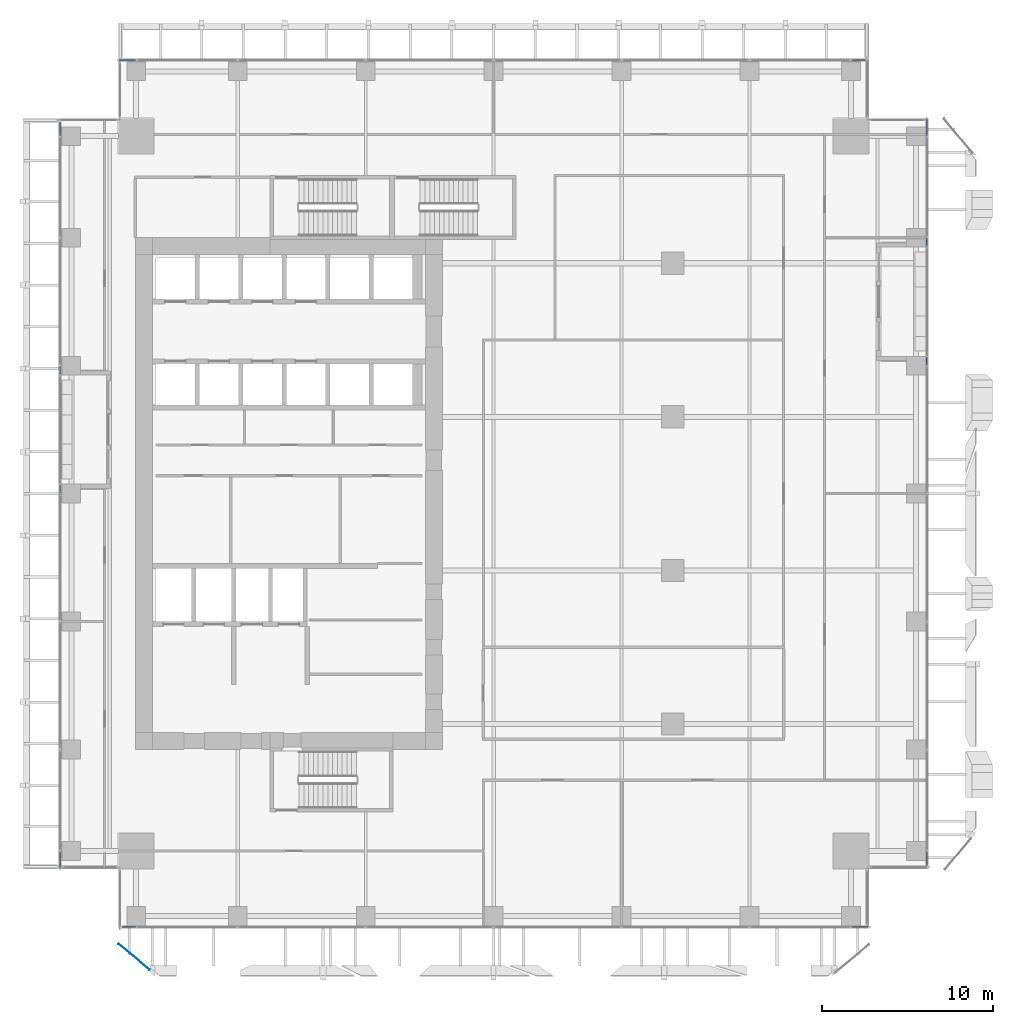
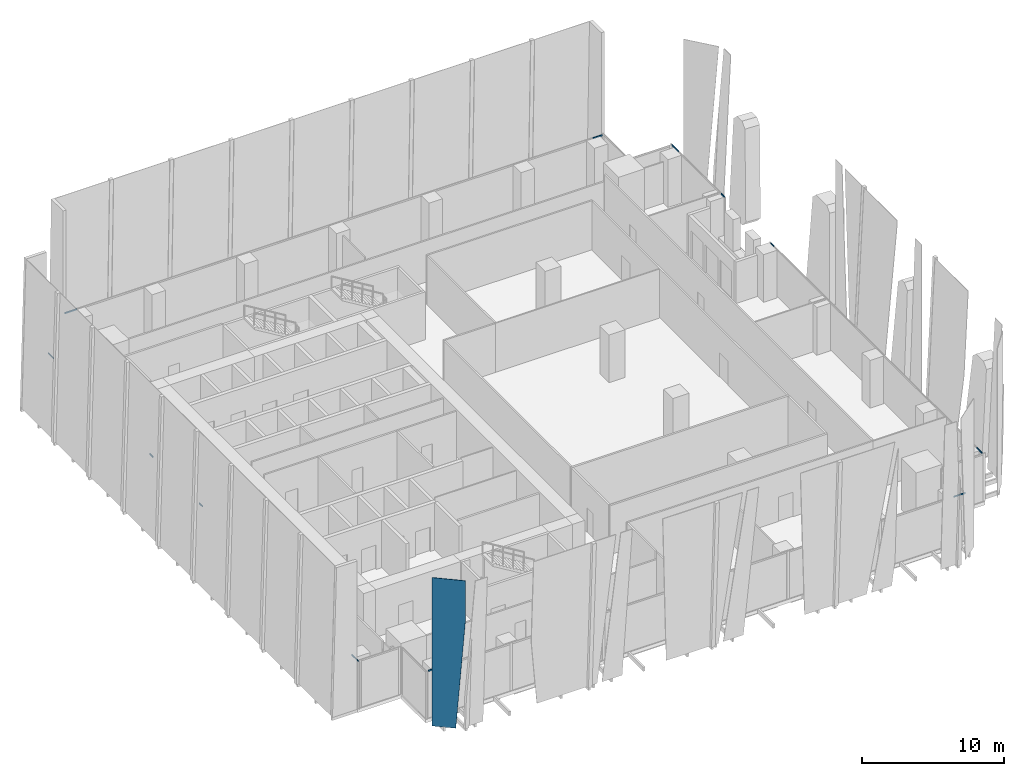
# One storey, part 20 of 35: 12 members, 1 plate, 6 elements without a shape of their own.
"""IFC4 building model written with IfcOpenShell, lengths in metres."""

from ifc_helpers import new_model, si_unit, direction, frame, origin, origin_2d, place, context, subcontext, project, spatial, polyline, hollow_rectangle, outline, extrude, source, transform, mapped, material, layer, layer_set, material_profile, profile_set, type_object, element, aggregate, save


model = new_model("IFC4")

# Units and contexts
model_context = context("Model", 3, precision=1e-05, world=origin(), true_north=direction((0.0, 1.0)))
body_context = subcontext(model_context, "Body", "Model", "MODEL_VIEW")
ifc_project = project(units=[si_unit("LENGTHUNIT", "METRE"), si_unit("AREAUNIT", "SQUARE_METRE"), si_unit("VOLUMEUNIT", "CUBIC_METRE"), si_unit("PLANEANGLEUNIT", "RADIAN"), si_unit("MASSUNIT", "GRAM", prefix="KILO")], contexts=[model_context])

# Site, building, storey
site_placement = place(None, origin())
site = spatial("IfcSite", under=ifc_project, at=site_placement, CompositionType="ELEMENT")
building_placement = place(site_placement, origin())
building = spatial("IfcBuilding", under=site, at=building_placement, Name="Khomas Fold Tower", CompositionType="ELEMENT")
storey_placement = place(building_placement, frame((0.0, 0.0, 127.89990234375)))
storey = spatial("IfcBuildingStorey", under=building, at=storey_placement, Name="L27", CompositionType="ELEMENT", Elevation=127.89990234375)

# Curtain wall, member
ifc_material_1 = material(Name="Aluminium framed double glazing", Category="aluminium")
curtain_wall_type = type_object("IfcCurtainWallType", Name="SK-Unitised clear-glass wall, growing floors CW1", PredefinedType="NOTDEFINED", material=ifc_material_1)
curtain_wall_1_placement = place(storey_placement, origin())
curtain_wall_1 = element("IfcCurtainWall", 1, at=curtain_wall_1_placement, inside=storey, type_object=curtain_wall_type, Name="CW1 run L27 00-0", PredefinedType="NOTDEFINED")
ifc_material_2 = material(Name="Aluminium", Category="aluminium")
ifc_material_profile = material_profile(ifc_material_2, hollow_rectangle(XDim=0.06005859375, YDim=0.1201171875, WallThickness=0.00390625, at=origin_2d()), Name="SK-Unitised clear-glass wall, growing floors transom CW1-T")
ifc_profile_set = profile_set([ifc_material_profile], Name="Aluminium")
member_type = type_object("IfcMemberType", Name="SK-Unitised clear-glass wall, growing floors transom CW1-T", PredefinedType="USERDEFINED", material=ifc_profile_set)
shared_shape_1 = source(origin(), body_context, "Body", "SweptSolid", [
    extrude(hollow_rectangle(XDim=0.06005859375, YDim=0.1201171875, WallThickness=0.00390625, at=origin_2d()), origin(), (0.0, 0.0, 1.0), 0.760009765625),
])
member_1_placement = place(storey_placement, frame((5.260009765625, 1.60009765625, 4.0400390625), z_axis=(1.0, 0.0, 0.0), x_axis=(0.0, 1.0, 0.0)))
member_1 = element("IfcMember", 2, at=member_1_placement, type_object=member_type, Name="CW1 transom 1", ObjectType="TRANSOM", PredefinedType="USERDEFINED", context=body_context, shape_type="MappedRepresentation", body=[
    mapped(shared_shape_1, transform((0.0, 0.0, 0.0))),
])

curtain_wall_2_placement = place(storey_placement, origin())
curtain_wall_2 = element("IfcCurtainWall", 3, at=curtain_wall_2_placement, inside=storey, type_object=curtain_wall_type, Name="CW1 run L27 03-0", PredefinedType="NOTDEFINED")
member_2_placement = place(storey_placement, frame((52.39990234375, 5.260009765625, 4.0400390625), z_axis=(0.0, 1.0, 0.0), x_axis=(-1.0, 0.0, 0.0)))
member_2 = element("IfcMember", 4, at=member_2_placement, type_object=member_type, Name="CW1 transom 1", ObjectType="TRANSOM", PredefinedType="USERDEFINED", context=body_context, shape_type="MappedRepresentation", body=[
    mapped(shared_shape_1, transform((0.0, 0.0, 0.0))),
])

curtain_wall_3_placement = place(storey_placement, origin())
curtain_wall_3 = element("IfcCurtainWall", 5, at=curtain_wall_3_placement, inside=storey, type_object=curtain_wall_type, Name="CW1 run L27 06-0", PredefinedType="NOTDEFINED")
member_3_placement = place(storey_placement, frame((48.739990234375, 52.39990234375, 4.0400390625), z_axis=(-1.0, 0.0, 0.0), x_axis=(0.0, -1.0, 0.0)))
member_3 = element("IfcMember", 6, at=member_3_placement, type_object=member_type, Name="CW1 transom 1", ObjectType="TRANSOM", PredefinedType="USERDEFINED", context=body_context, shape_type="MappedRepresentation", body=[
    mapped(shared_shape_1, transform((0.0, 0.0, 0.0))),
])

curtain_wall_4_placement = place(storey_placement, origin())
curtain_wall_4 = element("IfcCurtainWall", 7, at=curtain_wall_4_placement, inside=storey, type_object=curtain_wall_type, Name="CW1 run L27 09-0", PredefinedType="NOTDEFINED")
member_4_placement = place(storey_placement, frame((1.60009765625, 48.739990234375, 4.0400390625), z_axis=(0.0, -1.0, 0.0), x_axis=(1.0, 0.0, 0.0)))
member_4 = element("IfcMember", 8, at=member_4_placement, type_object=member_type, Name="CW1 transom 1", ObjectType="TRANSOM", PredefinedType="USERDEFINED", context=body_context, shape_type="MappedRepresentation", body=[
    mapped(shared_shape_1, transform((0.0, 0.0, 0.0))),
])

# Member
shared_shape_2 = source(origin(), body_context, "Body", "SweptSolid", [
    extrude(hollow_rectangle(XDim=0.06005859375, YDim=0.1201171875, WallThickness=0.00390625, at=origin_2d()), origin(), (0.0, 0.0, 1.0), 0.9599609375),
])
member_5_placement = place(storey_placement, frame((47.97998046875, 1.60009765625, 4.0400390625), z_axis=(1.0, 0.0, 0.0), x_axis=(0.0, 1.0, 0.0)))
member_5 = element("IfcMember", 9, at=member_5_placement, type_object=member_type, Name="CW1 transom 8", ObjectType="TRANSOM", PredefinedType="USERDEFINED", context=body_context, shape_type="MappedRepresentation", body=[
    mapped(shared_shape_2, transform((0.0, 0.0, 0.0))),
])

aggregate(curtain_wall_1, [member_1, member_5])

# Curtain wall, member
curtain_wall_5_placement = place(storey_placement, origin())
curtain_wall_5 = element("IfcCurtainWall", 10, at=curtain_wall_5_placement, inside=storey, type_object=curtain_wall_type, Name="CW1 run L27 03-1", PredefinedType="NOTDEFINED")
member_6_placement = place(storey_placement, frame((52.39990234375, 47.97998046875, 4.0400390625), z_axis=(0.0, 1.0, 0.0), x_axis=(-1.0, 0.0, 0.0)))
member_6 = element("IfcMember", 11, at=member_6_placement, type_object=member_type, Name="CW1 transom 3", ObjectType="TRANSOM", PredefinedType="USERDEFINED", context=body_context, shape_type="MappedRepresentation", body=[
    mapped(shared_shape_2, transform((0.0, 0.0, 0.0))),
])

# Member
member_7_placement = place(storey_placement, frame((6.02001953125, 52.39990234375, 4.0400390625), z_axis=(-1.0, 0.0, 0.0), x_axis=(0.0, -1.0, 0.0)))
member_7 = element("IfcMember", 12, at=member_7_placement, type_object=member_type, Name="CW1 transom 8", ObjectType="TRANSOM", PredefinedType="USERDEFINED", context=body_context, shape_type="MappedRepresentation", body=[
    mapped(shared_shape_2, transform((0.0, 0.0, 0.0))),
])

aggregate(curtain_wall_3, [member_3, member_7])

# Curtain wall, member
curtain_wall_6_placement = place(storey_placement, origin())
curtain_wall_6 = element("IfcCurtainWall", 13, at=curtain_wall_6_placement, inside=storey, type_object=curtain_wall_type, Name="CW1 run L27 09-1", PredefinedType="NOTDEFINED")
member_8_placement = place(storey_placement, frame((1.60009765625, 6.02001953125, 4.0400390625), z_axis=(0.0, -1.0, 0.0), x_axis=(1.0, 0.0, 0.0)))
member_8 = element("IfcMember", 14, at=member_8_placement, type_object=member_type, Name="CW1 transom 5", ObjectType="TRANSOM", PredefinedType="USERDEFINED", context=body_context, shape_type="MappedRepresentation", body=[
    mapped(shared_shape_2, transform((0.0, 0.0, 0.0))),
])

# Member
shared_shape_3 = source(origin(), body_context, "Body", "SweptSolid", [
    extrude(hollow_rectangle(XDim=0.06005859375, YDim=0.1201171875, WallThickness=0.00390625, at=origin_2d()), origin(), (0.0, 0.0, 1.0), 0.4599609375),
])
member_9_placement = place(storey_placement, frame((52.39990234375, 34.530029296875, 4.0400390625), z_axis=(0.0, 1.0, 0.0), x_axis=(-1.0, 0.0, 0.0)))
member_9 = element("IfcMember", 15, at=member_9_placement, type_object=member_type, Name="CW1 transom 6", ObjectType="TRANSOM", PredefinedType="USERDEFINED", context=body_context, shape_type="MappedRepresentation", body=[
    mapped(shared_shape_3, transform((0.0, 0.0, 0.0))),
])

aggregate(curtain_wall_2, [member_2, member_9])

member_10_placement = place(storey_placement, frame((52.39990234375, 41.510009765625, 4.0400390625), z_axis=(0.0, 1.0, 0.0), x_axis=(-1.0, 0.0, 0.0)))
member_10 = element("IfcMember", 16, at=member_10_placement, type_object=member_type, Name="CW1 transom 1", ObjectType="TRANSOM", PredefinedType="USERDEFINED", context=body_context, shape_type="MappedRepresentation", body=[
    mapped(shared_shape_3, transform((0.0, 0.0, 0.0))),
])

aggregate(curtain_wall_5, [member_10, member_6])

member_11_placement = place(storey_placement, frame((1.60009765625, 34.469970703125, 4.0400390625), z_axis=(0.0, -1.0, 0.0), x_axis=(1.0, 0.0, 0.0)))
member_11 = element("IfcMember", 17, at=member_11_placement, type_object=member_type, Name="CW1 transom 4", ObjectType="TRANSOM", PredefinedType="USERDEFINED", context=body_context, shape_type="MappedRepresentation", body=[
    mapped(shared_shape_3, transform((0.0, 0.0, 0.0))),
])

aggregate(curtain_wall_4, [member_4, member_11])

member_12_placement = place(storey_placement, frame((1.60009765625, 27.489990234375, 4.0400390625), z_axis=(0.0, -1.0, 0.0), x_axis=(1.0, 0.0, 0.0)))
member_12 = element("IfcMember", 18, at=member_12_placement, type_object=member_type, Name="CW1 transom 1", ObjectType="TRANSOM", PredefinedType="USERDEFINED", context=body_context, shape_type="MappedRepresentation", body=[
    mapped(shared_shape_3, transform((0.0, 0.0, 0.0))),
])

aggregate(curtain_wall_6, [member_12, member_8])

# Plate
ifc_material_3 = material(Name="Clear laminated glass", Category="glass")
ifc_layer = layer(ifc_material_3, 0.0400390625)
ifc_layer_set = layer_set([ifc_layer], Name="Clear laminated glass")
plate_type = type_object("IfcPlateType", Name="SK-Clear laminated glass leaf", PredefinedType="SHEET", material=ifc_layer_set)
plate_placement = place(storey_placement, frame((6.303466796875, -0.486328125, 0.0), z_axis=(-0.640219145353, -0.76819232351, 4.89326e-06), x_axis=(-0.768192323519, 0.64021914536, 2.29e-10)))
element("IfcPlate", 19, at=plate_placement, inside=storey, type_object=plate_type, Name="OUTER SKIN glass L27 SG098-3", PredefinedType="SHEET", context=body_context, shape_type="SweptSolid", body=[
    extrude(outline(polyline([(0.0, 0.0), (1.696863772491061, 0.0), (1.69686377541577, -12.749999999847358), (-0.6854161704258265, -12.750000000615156), (-0.685416171230144, -9.243652344407133), (0.0, 0.0)])), origin(), (0.0, 0.0, -1.0), 0.0400390625),
])

save(model, "model.ifc")
